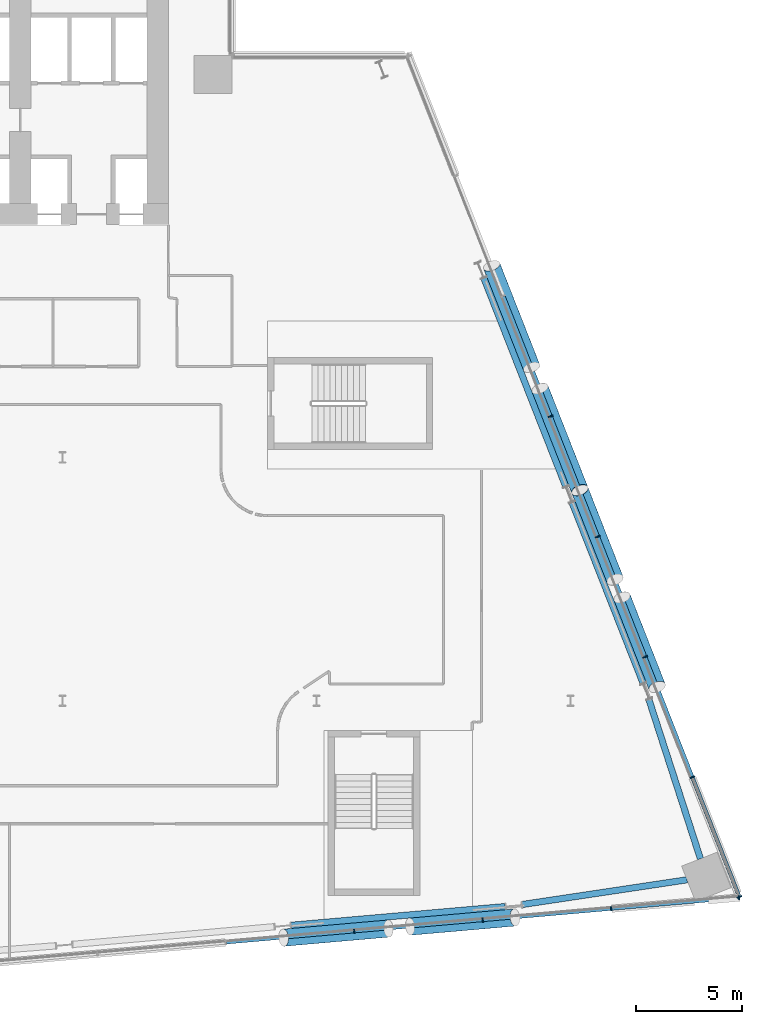
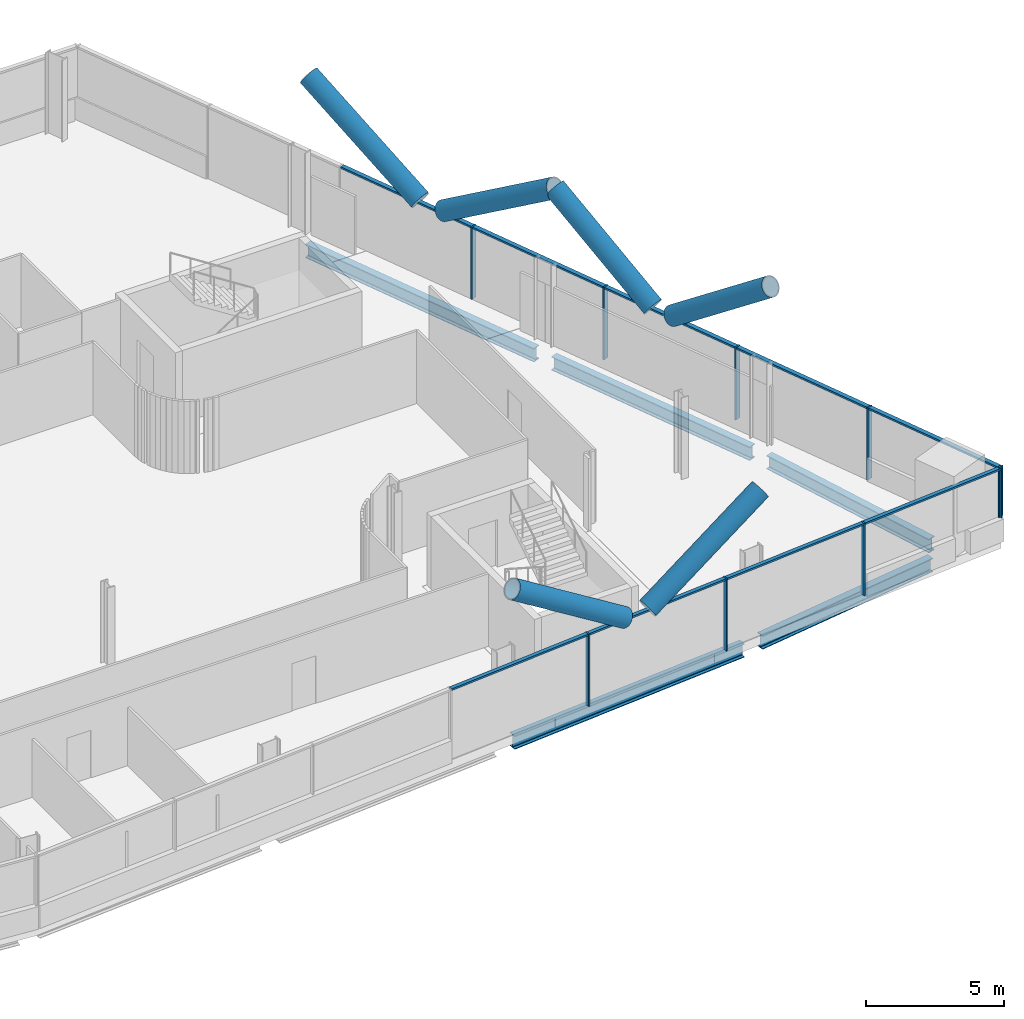
# One storey, part 10 of 31: 24 members, 5 beams, 2 elements without a shape of their own.
"""IFC4 building model written with IfcOpenShell, lengths in metres."""

from ifc_helpers import new_model, si_unit, direction, frame, origin, origin_2d, place, context, subcontext, project, spatial, rectangle, hollow_circle, i_section, extrude, material, material_profile, profile_set, type_object, element, aggregate, save


model = new_model("IFC4")

# Units and contexts
model_context = context("Model", 3, precision=1e-05, world=origin(), true_north=direction((0.0, 1.0)))
body_context = subcontext(model_context, "Body", "Model", "MODEL_VIEW")
ifc_project = project(units=[si_unit("LENGTHUNIT", "METRE"), si_unit("AREAUNIT", "SQUARE_METRE"), si_unit("VOLUMEUNIT", "CUBIC_METRE"), si_unit("PLANEANGLEUNIT", "RADIAN"), si_unit("MASSUNIT", "GRAM", prefix="KILO")], contexts=[model_context])

# Site, building, storey
site_placement = place(None, origin())
site = spatial("IfcSite", under=ifc_project, at=site_placement, CompositionType="ELEMENT")
building_placement = place(site_placement, origin())
building = spatial("IfcBuilding", under=site, at=building_placement, Name="Wharfspan Tower", CompositionType="ELEMENT")
storey_placement = place(building_placement, frame((0.0, 0.0, 103.899902)))
storey = spatial("IfcBuildingStorey", under=building, at=storey_placement, Name="L23", CompositionType="ELEMENT", Elevation=103.899902)

# Beams
ifc_material_1 = material(Name="Steel S355J2", Category="steel")
ifc_material_profile_1 = material_profile(ifc_material_1, i_section(OverallWidth=0.300049, OverallDepth=0.600098, WebThickness=0.015381, FlangeThickness=0.030029, FilletRadius=0.0271, at=origin_2d()))
ifc_profile_set_1 = profile_set([ifc_material_profile_1], Name="Steel S355J2")
beam_type = type_object("IfcBeamType", Name="Edge beam HEB 600", PredefinedType="SPANDREL", material=ifc_profile_set_1)
beam_1_placement = place(storey_placement, frame((70.805664, 0.887695, -0.699951), z_axis=(0.996194, 0.087159, 0.0), x_axis=(-0.087159, 0.996194, 0.0)))
element("IfcBeam", 1, at=beam_1_placement, inside=storey, type_object=beam_type, Name="Edge beam S2 L23 PS2.2 to PS2.3", PredefinedType="SPANDREL", context=body_context, shape_type="SweptSolid", body=[
    extrude(i_section(OverallWidth=0.300049, OverallDepth=0.600098, WebThickness=0.015381, FlangeThickness=0.030029, FilletRadius=0.0271, at=origin_2d()), origin(), (0.0, 0.0, 1.0), 10.159424),
])
beam_2_placement = place(storey_placement, frame((81.727295, 1.868408, -0.699951), z_axis=(0.988926, 0.148412, 0.0), x_axis=(-0.148412, 0.988926, 0.0)))
element("IfcBeam", 2, at=beam_2_placement, inside=storey, type_object=beam_type, Name="Edge beam S2 L23 PS2.3 to MC4", PredefinedType="SPANDREL", context=body_context, shape_type="SweptSolid", body=[
    extrude(i_section(OverallWidth=0.300049, OverallDepth=0.600098, WebThickness=0.015381, FlangeThickness=0.030029, FilletRadius=0.0271, at=origin_2d()), origin(), (0.0, 0.0, 1.0), 7.87793),
])
beam_3_placement = place(storey_placement, frame((90.150879, 4.02832, -0.699951), z_axis=(-0.307851, 0.951434, 0.0), x_axis=(-0.951434, -0.307851, 0.0)))
element("IfcBeam", 3, at=beam_3_placement, inside=storey, type_object=beam_type, Name="Edge beam E L23 MC4 to PE.1", PredefinedType="SPANDREL", context=body_context, shape_type="SweptSolid", body=[
    extrude(i_section(OverallWidth=0.300049, OverallDepth=0.600098, WebThickness=0.015381, FlangeThickness=0.030029, FilletRadius=0.0271, at=origin_2d()), origin(), (0.0, 0.0, 1.0), 7.924805),
])
beam_4_placement = place(storey_placement, frame((87.439453, 12.327637, -0.699951), z_axis=(-0.365779, 0.930702, 0.0), x_axis=(-0.930702, -0.365779, 0.0)))
element("IfcBeam", 4, at=beam_4_placement, inside=storey, type_object=beam_type, Name="Edge beam E L23 PE.1 to PE.2", PredefinedType="SPANDREL", context=body_context, shape_type="SweptSolid", body=[
    extrude(i_section(OverallWidth=0.300049, OverallDepth=0.600098, WebThickness=0.015381, FlangeThickness=0.030029, FilletRadius=0.0271, at=origin_2d()), origin(), (0.0, 0.0, 1.0), 9.184814),
])
beam_5_placement = place(storey_placement, frame((83.785156, 21.625977, -0.699951), z_axis=(-0.365789, 0.930698, 0.0), x_axis=(-0.930698, -0.365789, 0.0)))
element("IfcBeam", 5, at=beam_5_placement, inside=storey, type_object=beam_type, Name="Edge beam E L23 PE.2 to PE.3", PredefinedType="SPANDREL", context=body_context, shape_type="SweptSolid", body=[
    extrude(i_section(OverallWidth=0.300049, OverallDepth=0.600098, WebThickness=0.015381, FlangeThickness=0.030029, FilletRadius=0.0271, at=origin_2d()), origin(), (0.0, 0.0, 1.0), 10.584961),
])

# Curtain wall, members
ifc_material_2 = material(Name="Aluminium 6063-T6", Category="aluminium")
curtain_wall_type_1 = type_object("IfcCurtainWallType", Name="CURTAIN WALL FACETED FRONT", PredefinedType="NOTDEFINED", material=ifc_material_2)
curtain_wall_1_placement = place(storey_placement, origin())
curtain_wall_1 = element("IfcCurtainWall", 6, at=curtain_wall_1_placement, inside=storey, type_object=curtain_wall_type_1, Name="Curtain wall S2", PredefinedType="NOTDEFINED")
ifc_material_profile_2 = material_profile(ifc_material_2, rectangle(XDim=0.199951, YDim=0.060059, at=origin_2d()))
ifc_profile_set_2 = profile_set([ifc_material_profile_2], Name="Aluminium 6063-T6")
member_type_1 = type_object("IfcMemberType", Name="MULLION FACETED FRONT 60x200", PredefinedType="MULLION", material=ifc_profile_set_2)
member_1_placement = place(storey_placement, frame((73.785645, 0.606445, 0.0), z_axis=(0.0, 0.0, 1.0), x_axis=(-0.087156, 0.996198, 0.0)))
member_1 = element("IfcMember", 7, at=member_1_placement, type_object=member_type_1, Name="Curtain wall S2 mullion 5", PredefinedType="MULLION", context=body_context, shape_type="SweptSolid", body=[
    extrude(rectangle(XDim=0.199951, YDim=0.060059, at=origin_2d()), origin(), (0.0, 0.0, 1.0), 3.200195),
])
member_2_placement = place(storey_placement, frame((79.857178, 1.137695, 0.0), z_axis=(0.0, 0.0, 1.0), x_axis=(-0.087156, 0.996198, 0.0)))
member_2 = element("IfcMember", 8, at=member_2_placement, type_object=member_type_1, Name="Curtain wall S2 mullion 6", PredefinedType="MULLION", context=body_context, shape_type="SweptSolid", body=[
    extrude(rectangle(XDim=0.199951, YDim=0.060059, at=origin_2d()), origin(), (0.0, 0.0, 1.0), 3.200195),
])
member_3_placement = place(storey_placement, frame((85.928467, 1.668701, 0.0), z_axis=(0.0, 0.0, 1.0), x_axis=(-0.087156, 0.996198, 0.0)))
member_3 = element("IfcMember", 9, at=member_3_placement, type_object=member_type_1, Name="Curtain wall S2 mullion 7", PredefinedType="MULLION", context=body_context, shape_type="SweptSolid", body=[
    extrude(rectangle(XDim=0.199951, YDim=0.060059, at=origin_2d()), origin(), (0.0, 0.0, 1.0), 3.200195),
])
member_4_placement = place(storey_placement, frame((91.970215, 2.197266, 1.0), z_axis=(0.0, 0.0, 1.0), x_axis=(-0.087156, 0.996198, 0.0)))
member_4 = element("IfcMember", 10, at=member_4_placement, type_object=member_type_1, Name="Curtain wall S2 mullion 8", PredefinedType="MULLION", context=body_context, shape_type="SweptSolid", body=[
    extrude(rectangle(XDim=0.199951, YDim=0.060059, at=origin_2d()), origin(), (0.0, 0.0, 1.0), 2.200195),
])

curtain_wall_type_2 = type_object("IfcCurtainWallType", Name="CURTAIN WALL PROW AND END", PredefinedType="NOTDEFINED", material=ifc_material_2)
curtain_wall_2_placement = place(storey_placement, origin())
curtain_wall_2 = element("IfcCurtainWall", 11, at=curtain_wall_2_placement, inside=storey, type_object=curtain_wall_type_2, Name="Curtain wall E", PredefinedType="NOTDEFINED")
ifc_material_profile_3 = material_profile(ifc_material_2, rectangle(XDim=0.23999, YDim=0.060059, at=origin_2d()))
ifc_profile_set_3 = profile_set([ifc_material_profile_3], Name="Aluminium 6063-T6")
member_type_2 = type_object("IfcMemberType", Name="MULLION PROW AND END 60x240", PredefinedType="MULLION", material=ifc_profile_set_3)
member_5_placement = place(storey_placement, frame((91.989014, 2.228027, 1.0), z_axis=(0.0, 0.0, 1.0), x_axis=(-0.930702, -0.365778, 0.0)))
member_5 = element("IfcMember", 12, at=member_5_placement, type_object=member_type_2, Name="Curtain wall E mullion 1", PredefinedType="MULLION", context=body_context, shape_type="SweptSolid", body=[
    extrude(rectangle(XDim=0.23999, YDim=0.060059, at=origin_2d()), origin(), (0.0, 0.0, 1.0), 2.200195),
])
member_6_placement = place(storey_placement, frame((89.765381, 7.885742, 0.0), z_axis=(0.0, 0.0, 1.0), x_axis=(-0.930702, -0.365778, 0.0)))
member_6 = element("IfcMember", 13, at=member_6_placement, type_object=member_type_2, Name="Curtain wall E mullion 2", PredefinedType="MULLION", context=body_context, shape_type="SweptSolid", body=[
    extrude(rectangle(XDim=0.23999, YDim=0.060059, at=origin_2d()), origin(), (0.0, 0.0, 1.0), 3.200195),
])
member_7_placement = place(storey_placement, frame((87.530762, 13.571533, 0.0), z_axis=(0.0, 0.0, 1.0), x_axis=(-0.930702, -0.365778, 0.0)))
member_7 = element("IfcMember", 14, at=member_7_placement, type_object=member_type_2, Name="Curtain wall E mullion 3", PredefinedType="MULLION", context=body_context, shape_type="SweptSolid", body=[
    extrude(rectangle(XDim=0.23999, YDim=0.060059, at=origin_2d()), origin(), (0.0, 0.0, 1.0), 3.200195),
])
member_8_placement = place(storey_placement, frame((85.296387, 19.25708, 0.0), z_axis=(0.0, 0.0, 1.0), x_axis=(-0.930702, -0.365778, 0.0)))
member_8 = element("IfcMember", 15, at=member_8_placement, type_object=member_type_2, Name="Curtain wall E mullion 4", PredefinedType="MULLION", context=body_context, shape_type="SweptSolid", body=[
    extrude(rectangle(XDim=0.23999, YDim=0.060059, at=origin_2d()), origin(), (0.0, 0.0, 1.0), 3.200195),
])
member_9_placement = place(storey_placement, frame((83.061768, 24.942871, 0.0), z_axis=(0.0, 0.0, 1.0), x_axis=(-0.930702, -0.365778, 0.0)))
member_9 = element("IfcMember", 16, at=member_9_placement, type_object=member_type_2, Name="Curtain wall E mullion 5", PredefinedType="MULLION", context=body_context, shape_type="SweptSolid", body=[
    extrude(rectangle(XDim=0.23999, YDim=0.060059, at=origin_2d()), origin(), (0.0, 0.0, 1.0), 3.200195),
])

# Members
ifc_material_3 = material(Name="Steel S460NH", Category="steel")
ifc_material_profile_4 = material_profile(ifc_material_3, hollow_circle(Radius=0.406494, WallThickness=0.040039, at=origin_2d()))
ifc_profile_set_4 = profile_set([ifc_material_profile_4], Name="Steel S460NH")
member_type_3 = type_object("IfcMemberType", Name="Mega brace CHS 813x40", PredefinedType="BRACE", material=ifc_profile_set_4)
member_10_placement = place(storey_placement, frame((76.427002, 0.82251, 3.237793), z_axis=(0.832724, 0.07283, 0.548878), x_axis=(-0.087128, 0.996197, 1e-06)))
element("IfcMember", 17, at=member_10_placement, inside=storey, type_object=member_type_3, Name="Mega brace S2 L23 part 2", PredefinedType="BRACE", context=body_context, shape_type="SweptSolid", body=[
    extrude(hollow_circle(Radius=0.406494, WallThickness=0.040039, at=origin_2d()), origin(), (0.0, 0.0, 1.0), 5.943359),
])
member_11_placement = place(storey_placement, frame((75.401855, 0.73291, 3.237793), z_axis=(-0.832734, -0.072869, 0.548858), x_axis=(0.087173, -0.99619, 1e-06)))
element("IfcMember", 18, at=member_11_placement, inside=storey, type_object=member_type_3, Name="Mega brace S2 L23 part 4", PredefinedType="BRACE", context=body_context, shape_type="SweptSolid", body=[
    extrude(hollow_circle(Radius=0.406494, WallThickness=0.040039, at=origin_2d()), origin(), (0.0, 0.0, 1.0), 5.943604),
])
member_12_placement = place(storey_placement, frame((82.168213, 27.257812, 3.241699), z_axis=(-0.309223, 0.786709, 0.534294), x_axis=(-0.930685, -0.365812, -3e-06)))
element("IfcMember", 19, at=member_12_placement, inside=storey, type_object=member_type_3, Name="Mega brace E5 L23 part 2", PredefinedType="BRACE", context=body_context, shape_type="SweptSolid", body=[
    extrude(hollow_circle(Radius=0.406494, WallThickness=0.040039, at=origin_2d()), origin(), (0.0, 0.0, 1.0), 6.098389),
])
member_13_placement = place(storey_placement, frame((82.563477, 26.251709, 3.241699), z_axis=(0.309187, -0.786719, 0.534301), x_axis=(0.930704, 0.365777, 4e-06)))
element("IfcMember", 20, at=member_13_placement, inside=storey, type_object=member_type_3, Name="Mega brace E5 L23 part 4", PredefinedType="BRACE", context=body_context, shape_type="SweptSolid", body=[
    extrude(hollow_circle(Radius=0.406494, WallThickness=0.040039, at=origin_2d()), origin(), (0.0, 0.0, 1.0), 6.098145),
])
member_14_placement = place(storey_placement, frame((86.109863, 17.228027, 3.227783), z_axis=(-0.29675, 0.75507, 0.584645), x_axis=(-0.930704, -0.365779, 4e-06)))
element("IfcMember", 21, at=member_14_placement, inside=storey, type_object=member_type_3, Name="Mega brace E6 L23 part 2", PredefinedType="BRACE", context=body_context, shape_type="SweptSolid", body=[
    extrude(hollow_circle(Radius=0.406494, WallThickness=0.040039, at=origin_2d()), origin(), (0.0, 0.0, 1.0), 5.596924),
])
member_15_placement = place(storey_placement, frame((86.442627, 16.381348, 3.227783), z_axis=(0.29676, -0.755051, 0.584664), x_axis=(0.930695, 0.365797, 4e-06)))
element("IfcMember", 22, at=member_15_placement, inside=storey, type_object=member_type_3, Name="Mega brace E6 L23 part 4", PredefinedType="BRACE", context=body_context, shape_type="SweptSolid", body=[
    extrude(hollow_circle(Radius=0.406494, WallThickness=0.040039, at=origin_2d()), origin(), (0.0, 0.0, 1.0), 5.59668),
])

# Member
ifc_material_profile_5 = material_profile(ifc_material_2, rectangle(XDim=0.159912, YDim=0.080078, at=origin_2d()))
ifc_profile_set_5 = profile_set([ifc_material_profile_5], Name="Aluminium 6063-T6")
member_type_4 = type_object("IfcMemberType", Name="TRANSOM FACETED FRONT 80x160", PredefinedType="USERDEFINED", material=ifc_profile_set_5)
member_16_placement = place(storey_placement, frame((67.744141, 0.077881, 3.160156), z_axis=(0.996196, 0.087143, 0.0), x_axis=(-0.087143, 0.996196, 0.0)))
member_16 = element("IfcMember", 23, at=member_16_placement, type_object=member_type_4, Name="Curtain wall S2 transom 4", ObjectType="TRANSOM", PredefinedType="USERDEFINED", context=body_context, shape_type="SweptSolid", body=[
    extrude(rectangle(XDim=0.159912, YDim=0.080078, at=origin_2d()), origin(), (0.0, 0.0, 1.0), 6.034668),
])

member_17_placement = place(storey_placement, frame((73.815674, 0.609131, 3.160156), z_axis=(0.996196, 0.087146, 0.0), x_axis=(-0.087146, 0.996196, 0.0)))
member_17 = element("IfcMember", 24, at=member_17_placement, type_object=member_type_4, Name="Curtain wall S2 transom 5", ObjectType="TRANSOM", PredefinedType="USERDEFINED", context=body_context, shape_type="SweptSolid", body=[
    extrude(rectangle(XDim=0.159912, YDim=0.080078, at=origin_2d()), origin(), (0.0, 0.0, 1.0), 6.034424),
])

member_18_placement = place(storey_placement, frame((79.886963, 1.140137, 3.160156), z_axis=(0.996192, 0.087183, 0.0), x_axis=(-0.087183, 0.996192, 0.0)))
member_18 = element("IfcMember", 25, at=member_18_placement, type_object=member_type_4, Name="Curtain wall S2 transom 6", ObjectType="TRANSOM", PredefinedType="USERDEFINED", context=body_context, shape_type="SweptSolid", body=[
    extrude(rectangle(XDim=0.159912, YDim=0.080078, at=origin_2d()), origin(), (0.0, 0.0, 1.0), 6.034668),
])

member_19_placement = place(storey_placement, frame((85.958496, 1.671387, 3.160156), z_axis=(0.996193, 0.087174, 0.0), x_axis=(-0.087174, 0.996193, 0.0)))
member_19 = element("IfcMember", 26, at=member_19_placement, type_object=member_type_4, Name="Curtain wall S2 transom 7", ObjectType="TRANSOM", PredefinedType="USERDEFINED", context=body_context, shape_type="SweptSolid", body=[
    extrude(rectangle(XDim=0.159912, YDim=0.080078, at=origin_2d()), origin(), (0.0, 0.0, 1.0), 6.004639),
])

aggregate(curtain_wall_1, [member_1, member_2, member_3, member_4, member_16, member_17, member_18, member_19])

ifc_material_profile_6 = material_profile(ifc_material_2, rectangle(XDim=0.179932, YDim=0.080078, at=origin_2d()))
ifc_profile_set_6 = profile_set([ifc_material_profile_6], Name="Aluminium 6063-T6")
member_type_5 = type_object("IfcMemberType", Name="TRANSOM PROW AND END 80x180", PredefinedType="USERDEFINED", material=ifc_profile_set_6)
member_20_placement = place(storey_placement, frame((91.978027, 2.255859, 3.160156), z_axis=(-0.365775, 0.930703, 0.0), x_axis=(-0.930703, -0.365775, 0.0)))
member_20 = element("IfcMember", 27, at=member_20_placement, type_object=member_type_5, Name="Curtain wall E transom 1", ObjectType="TRANSOM", PredefinedType="USERDEFINED", context=body_context, shape_type="SweptSolid", body=[
    extrude(rectangle(XDim=0.179932, YDim=0.080078, at=origin_2d()), origin(), (0.0, 0.0, 1.0), 6.019043),
])

member_21_placement = place(storey_placement, frame((89.754395, 7.913574, 3.160156), z_axis=(-0.365782, 0.9307, 0.0), x_axis=(-0.9307, -0.365782, 0.0)))
member_21 = element("IfcMember", 28, at=member_21_placement, type_object=member_type_5, Name="Curtain wall E transom 2", ObjectType="TRANSOM", PredefinedType="USERDEFINED", context=body_context, shape_type="SweptSolid", body=[
    extrude(rectangle(XDim=0.179932, YDim=0.080078, at=origin_2d()), origin(), (0.0, 0.0, 1.0), 6.049072),
])

member_22_placement = place(storey_placement, frame((87.52002, 13.599365, 3.160156), z_axis=(-0.365782, 0.9307, 0.0), x_axis=(-0.9307, -0.365782, 0.0)))
member_22 = element("IfcMember", 29, at=member_22_placement, type_object=member_type_5, Name="Curtain wall E transom 3", ObjectType="TRANSOM", PredefinedType="USERDEFINED", context=body_context, shape_type="SweptSolid", body=[
    extrude(rectangle(XDim=0.179932, YDim=0.080078, at=origin_2d()), origin(), (0.0, 0.0, 1.0), 6.049072),
])

member_23_placement = place(storey_placement, frame((85.2854, 19.285156, 3.160156), z_axis=(-0.365782, 0.9307, 0.0), x_axis=(-0.9307, -0.365782, 0.0)))
member_23 = element("IfcMember", 30, at=member_23_placement, type_object=member_type_5, Name="Curtain wall E transom 4", ObjectType="TRANSOM", PredefinedType="USERDEFINED", context=body_context, shape_type="SweptSolid", body=[
    extrude(rectangle(XDim=0.179932, YDim=0.080078, at=origin_2d()), origin(), (0.0, 0.0, 1.0), 6.049072),
])

member_24_placement = place(storey_placement, frame((83.050781, 24.970703, 3.160156), z_axis=(-0.365782, 0.9307, 0.0), x_axis=(-0.9307, -0.365782, 0.0)))
member_24 = element("IfcMember", 31, at=member_24_placement, type_object=member_type_5, Name="Curtain wall E transom 5", ObjectType="TRANSOM", PredefinedType="USERDEFINED", context=body_context, shape_type="SweptSolid", body=[
    extrude(rectangle(XDim=0.179932, YDim=0.080078, at=origin_2d()), origin(), (0.0, 0.0, 1.0), 6.049072),
])

aggregate(curtain_wall_2, [member_5, member_6, member_7, member_8, member_9, member_20, member_21, member_22, member_23, member_24])

save(model, "model.ifc")
